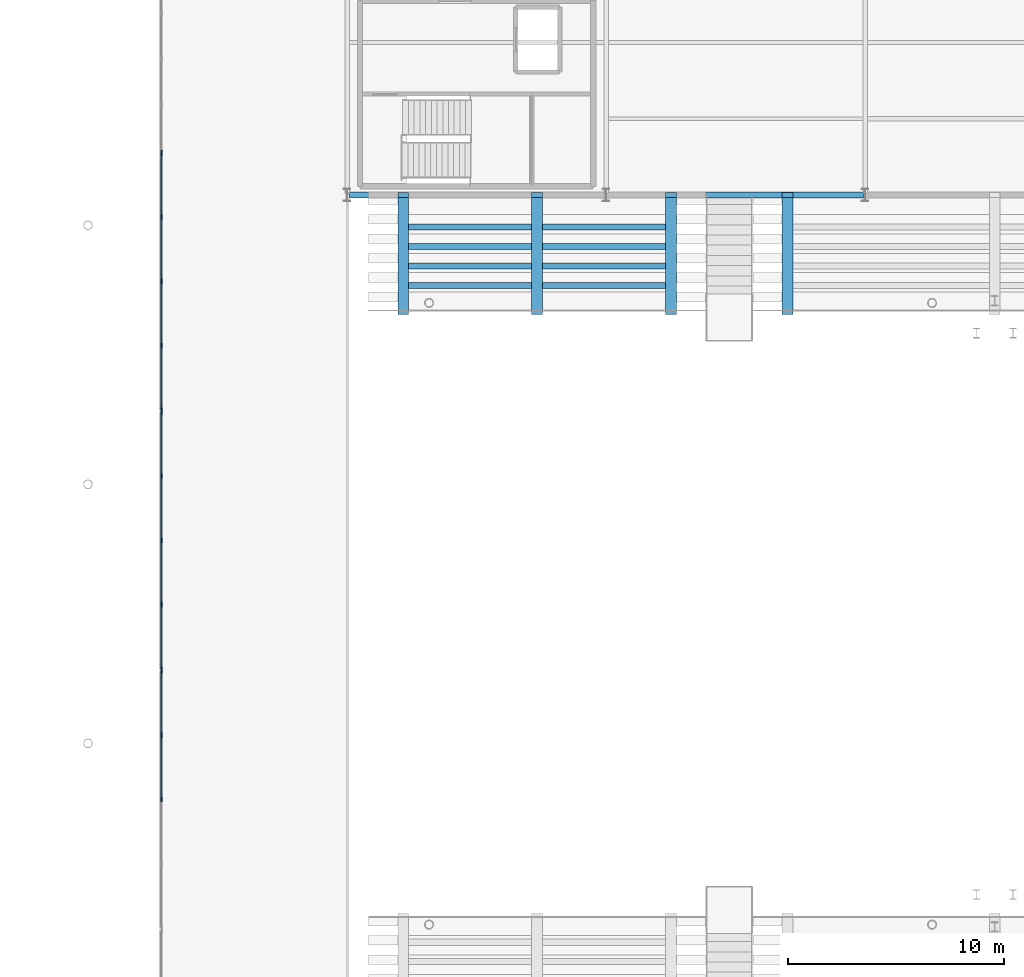
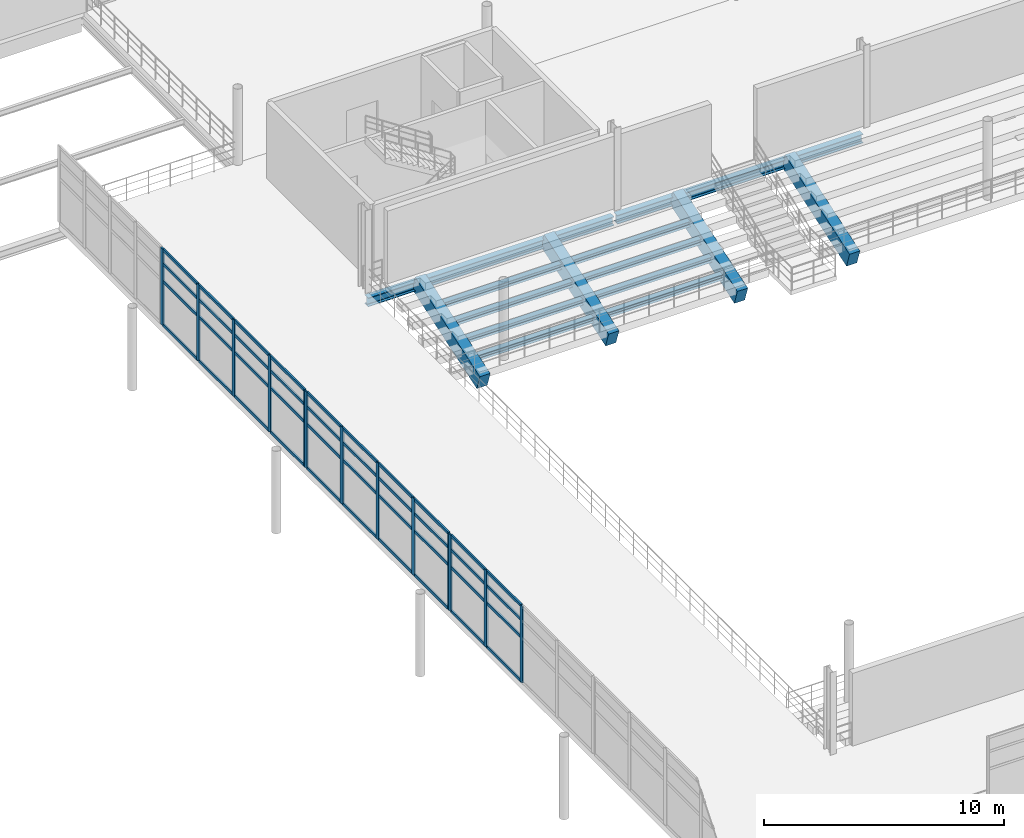
# One storey, part 29 of 89: 53 members, 10 beams, 3 elements without a shape of their own.
"""IFC4 building model written with IfcOpenShell, lengths in metres."""

from ifc_helpers import new_model, si_unit, direction, frame, origin, origin_2d, place, context, subcontext, project, spatial, rectangle, i_section, extrude, material, material_profile, profile_set, type_object, element, aggregate, save


model = new_model("IFC4")

# Units and contexts
model_context = context("Model", 3, precision=1e-05, world=origin(), true_north=direction((0.0, 1.0)))
body_context = subcontext(model_context, "Body", "Model", "MODEL_VIEW")
ifc_project = project(units=[si_unit("LENGTHUNIT", "METRE"), si_unit("AREAUNIT", "SQUARE_METRE"), si_unit("VOLUMEUNIT", "CUBIC_METRE"), si_unit("PLANEANGLEUNIT", "RADIAN"), si_unit("MASSUNIT", "GRAM", prefix="KILO"), si_unit("THERMODYNAMICTEMPERATUREUNIT", "KELVIN"), si_unit("POWERUNIT", "WATT")], contexts=[model_context])

# Site, building, storey
site_placement = place(None, origin())
site = spatial("IfcSite", under=ifc_project, at=site_placement, CompositionType="ELEMENT")
building_placement = place(site_placement, origin())
building = spatial("IfcBuilding", under=site, at=building_placement, Name="Solmara Park Aquatics Centre", CompositionType="ELEMENT")
storey_placement = place(building_placement, frame((0.0, 0.0, 5.39990234375)))
storey = spatial("IfcBuildingStorey", under=building, at=storey_placement, Name="L01", CompositionType="ELEMENT", Elevation=5.39990234375)

# Curtain wall, members
ifc_material_1 = material(Name="Anodised Aluminium Curtain Wall Framing", Category="aluminium")
curtain_wall_type = type_object("IfcCurtainWallType", Name="ARC-CW-SYS05", PredefinedType="USERDEFINED", material=ifc_material_1)
curtain_wall_1_placement = place(storey_placement, origin())
curtain_wall_1 = element("IfcCurtainWall", 1, at=curtain_wall_1_placement, inside=storey, type_object=curtain_wall_type, Name="Curtain Wall CW-014", ObjectType="CURTAIN WALL", PredefinedType="USERDEFINED")
ifc_material_2 = material(Name="Anodised Aluminium Alloy 6063-T6", Category="aluminium")
ifc_material_profile_1 = material_profile(ifc_material_2, rectangle(XDim=0.074951171875, YDim=0.219970703125, at=origin_2d()), Name="ALU MULLION 75x220")
ifc_profile_set_1 = profile_set([ifc_material_profile_1], Name="Anodised Aluminium Alloy 6063-T6")
member_type_1 = type_object("IfcMemberType", Name="ARC-CWM-75x220", PredefinedType="MULLION", material=ifc_profile_set_1)
member_1_placement = place(storey_placement, frame((16.0, 34.0, 0.0), z_axis=(0.0, 0.0, 1.0), x_axis=(1.0, 0.0, 0.0)))
member_1 = element("IfcMember", 2, at=member_1_placement, type_object=member_type_1, Name="CW-014 mullion 3", PredefinedType="MULLION", context=body_context, shape_type="SweptSolid", body=[
    extrude(rectangle(XDim=0.074951171875, YDim=0.219970703125, at=origin_2d()), origin(), (0.0, 0.0, 1.0), 3.900146484375),
])
member_2_placement = place(storey_placement, frame((16.0, 36.97998046875, 0.0), z_axis=(0.0, 0.0, 1.0), x_axis=(1.0, 0.0, 0.0)))
member_2 = element("IfcMember", 3, at=member_2_placement, type_object=member_type_1, Name="CW-014 mullion 4", PredefinedType="MULLION", context=body_context, shape_type="SweptSolid", body=[
    extrude(rectangle(XDim=0.074951171875, YDim=0.219970703125, at=origin_2d()), origin(), (0.0, 0.0, 1.0), 3.900146484375),
])
member_3_placement = place(storey_placement, frame((16.0, 39.9599609375, 0.0), z_axis=(0.0, 0.0, 1.0), x_axis=(1.0, 0.0, 0.0)))
member_3 = element("IfcMember", 4, at=member_3_placement, type_object=member_type_1, Name="CW-014 mullion 5", PredefinedType="MULLION", context=body_context, shape_type="SweptSolid", body=[
    extrude(rectangle(XDim=0.074951171875, YDim=0.219970703125, at=origin_2d()), origin(), (0.0, 0.0, 1.0), 3.900146484375),
])

curtain_wall_2_placement = place(storey_placement, origin())
curtain_wall_2 = element("IfcCurtainWall", 5, at=curtain_wall_2_placement, inside=storey, type_object=curtain_wall_type, Name="Curtain Wall CW-016", ObjectType="CURTAIN WALL", PredefinedType="USERDEFINED")
member_4_placement = place(storey_placement, frame((16.0, 40.0400390625, 0.0), z_axis=(0.0, 0.0, 1.0), x_axis=(1.0, 0.0, 0.0)))
member_4 = element("IfcMember", 6, at=member_4_placement, type_object=member_type_1, Name="CW-016 mullion 1", PredefinedType="MULLION", context=body_context, shape_type="SweptSolid", body=[
    extrude(rectangle(XDim=0.074951171875, YDim=0.219970703125, at=origin_2d()), origin(), (0.0, 0.0, 1.0), 3.900146484375),
])
member_5_placement = place(storey_placement, frame((16.0, 43.02001953125, 0.0), z_axis=(0.0, 0.0, 1.0), x_axis=(1.0, 0.0, 0.0)))
member_5 = element("IfcMember", 7, at=member_5_placement, type_object=member_type_1, Name="CW-016 mullion 2", PredefinedType="MULLION", context=body_context, shape_type="SweptSolid", body=[
    extrude(rectangle(XDim=0.074951171875, YDim=0.219970703125, at=origin_2d()), origin(), (0.0, 0.0, 1.0), 3.900146484375),
])
member_6_placement = place(storey_placement, frame((16.0, 46.0, 0.0), z_axis=(0.0, 0.0, 1.0), x_axis=(1.0, 0.0, 0.0)))
member_6 = element("IfcMember", 8, at=member_6_placement, type_object=member_type_1, Name="CW-016 mullion 3", PredefinedType="MULLION", context=body_context, shape_type="SweptSolid", body=[
    extrude(rectangle(XDim=0.074951171875, YDim=0.219970703125, at=origin_2d()), origin(), (0.0, 0.0, 1.0), 3.900146484375),
])
member_7_placement = place(storey_placement, frame((16.0, 48.97998046875, 0.0), z_axis=(0.0, 0.0, 1.0), x_axis=(1.0, 0.0, 0.0)))
member_7 = element("IfcMember", 9, at=member_7_placement, type_object=member_type_1, Name="CW-016 mullion 4", PredefinedType="MULLION", context=body_context, shape_type="SweptSolid", body=[
    extrude(rectangle(XDim=0.074951171875, YDim=0.219970703125, at=origin_2d()), origin(), (0.0, 0.0, 1.0), 3.900146484375),
])
member_8_placement = place(storey_placement, frame((16.0, 51.9599609375, 0.0), z_axis=(0.0, 0.0, 1.0), x_axis=(1.0, 0.0, 0.0)))
member_8 = element("IfcMember", 10, at=member_8_placement, type_object=member_type_1, Name="CW-016 mullion 5", PredefinedType="MULLION", context=body_context, shape_type="SweptSolid", body=[
    extrude(rectangle(XDim=0.074951171875, YDim=0.219970703125, at=origin_2d()), origin(), (0.0, 0.0, 1.0), 3.900146484375),
])

curtain_wall_3_placement = place(storey_placement, origin())
curtain_wall_3 = element("IfcCurtainWall", 11, at=curtain_wall_3_placement, inside=storey, type_object=curtain_wall_type, Name="Curtain Wall CW-018", ObjectType="CURTAIN WALL", PredefinedType="USERDEFINED")
member_9_placement = place(storey_placement, frame((16.0, 52.0400390625, 0.0), z_axis=(0.0, 0.0, 1.0), x_axis=(1.0, 0.0, 0.0)))
member_9 = element("IfcMember", 12, at=member_9_placement, type_object=member_type_1, Name="CW-018 mullion 1", PredefinedType="MULLION", context=body_context, shape_type="SweptSolid", body=[
    extrude(rectangle(XDim=0.074951171875, YDim=0.219970703125, at=origin_2d()), origin(), (0.0, 0.0, 1.0), 3.900146484375),
])
member_10_placement = place(storey_placement, frame((16.0, 55.02001953125, 0.0), z_axis=(0.0, 0.0, 1.0), x_axis=(1.0, 0.0, 0.0)))
member_10 = element("IfcMember", 13, at=member_10_placement, type_object=member_type_1, Name="CW-018 mullion 2", PredefinedType="MULLION", context=body_context, shape_type="SweptSolid", body=[
    extrude(rectangle(XDim=0.074951171875, YDim=0.219970703125, at=origin_2d()), origin(), (0.0, 0.0, 1.0), 3.900146484375),
])
member_11_placement = place(storey_placement, frame((16.0, 58.0, 0.0), z_axis=(0.0, 0.0, 1.0), x_axis=(1.0, 0.0, 0.0)))
member_11 = element("IfcMember", 14, at=member_11_placement, type_object=member_type_1, Name="CW-018 mullion 3", PredefinedType="MULLION", context=body_context, shape_type="SweptSolid", body=[
    extrude(rectangle(XDim=0.074951171875, YDim=0.219970703125, at=origin_2d()), origin(), (0.0, 0.0, 1.0), 3.900146484375),
])
member_12_placement = place(storey_placement, frame((16.0, 60.97998046875, 0.0), z_axis=(0.0, 0.0, 1.0), x_axis=(1.0, 0.0, 0.0)))
member_12 = element("IfcMember", 15, at=member_12_placement, type_object=member_type_1, Name="CW-018 mullion 4", PredefinedType="MULLION", context=body_context, shape_type="SweptSolid", body=[
    extrude(rectangle(XDim=0.074951171875, YDim=0.219970703125, at=origin_2d()), origin(), (0.0, 0.0, 1.0), 3.900146484375),
])
member_13_placement = place(storey_placement, frame((16.0, 63.9599609375, 0.0), z_axis=(0.0, 0.0, 1.0), x_axis=(1.0, 0.0, 0.0)))
member_13 = element("IfcMember", 16, at=member_13_placement, type_object=member_type_1, Name="CW-018 mullion 5", PredefinedType="MULLION", context=body_context, shape_type="SweptSolid", body=[
    extrude(rectangle(XDim=0.074951171875, YDim=0.219970703125, at=origin_2d()), origin(), (0.0, 0.0, 1.0), 3.900146484375),
])

# Member
ifc_material_profile_2 = material_profile(ifc_material_2, rectangle(XDim=0.074951171875, YDim=0.14990234375, at=origin_2d()), Name="ALU TRANSOM 75x150")
ifc_profile_set_2 = profile_set([ifc_material_profile_2], Name="Anodised Aluminium Alloy 6063-T6")
member_type_2 = type_object("IfcMemberType", Name="ARC-CWT-75x150", PredefinedType="USERDEFINED", material=ifc_profile_set_2)
member_14_placement = place(storey_placement, frame((16.0, 34.02001953125, 0.0400390625), z_axis=(0.0, 1.0, 0.0), x_axis=(-1.0, 0.0, 0.0)))
member_14 = element("IfcMember", 17, at=member_14_placement, type_object=member_type_2, Name="CW-014 transom 9", ObjectType="TRANSOM", PredefinedType="USERDEFINED", context=body_context, shape_type="SweptSolid", body=[
    extrude(rectangle(XDim=0.074951171875, YDim=0.14990234375, at=origin_2d()), origin(), (0.0, 0.0, 1.0), 2.89990234375),
])

member_15_placement = place(storey_placement, frame((16.0, 34.02001953125, 2.26220703125), z_axis=(0.0, 1.0, 0.0), x_axis=(-1.0, 0.0, 0.0)))
member_15 = element("IfcMember", 18, at=member_15_placement, type_object=member_type_2, Name="CW-014 transom 10", ObjectType="TRANSOM", PredefinedType="USERDEFINED", context=body_context, shape_type="SweptSolid", body=[
    extrude(rectangle(XDim=0.074951171875, YDim=0.14990234375, at=origin_2d()), origin(), (0.0, 0.0, 1.0), 2.89990234375),
])

member_16_placement = place(storey_placement, frame((16.0, 34.02001953125, 3.150146484375), z_axis=(0.0, 1.0, 0.0), x_axis=(-1.0, 0.0, 0.0)))
member_16 = element("IfcMember", 19, at=member_16_placement, type_object=member_type_2, Name="CW-014 transom 11", ObjectType="TRANSOM", PredefinedType="USERDEFINED", context=body_context, shape_type="SweptSolid", body=[
    extrude(rectangle(XDim=0.074951171875, YDim=0.14990234375, at=origin_2d()), origin(), (0.0, 0.0, 1.0), 2.89990234375),
])

member_17_placement = place(storey_placement, frame((16.0, 34.02001953125, 3.860107421875), z_axis=(0.0, 1.0, 0.0), x_axis=(-1.0, 0.0, 0.0)))
member_17 = element("IfcMember", 20, at=member_17_placement, type_object=member_type_2, Name="CW-014 transom 12", ObjectType="TRANSOM", PredefinedType="USERDEFINED", context=body_context, shape_type="SweptSolid", body=[
    extrude(rectangle(XDim=0.074951171875, YDim=0.14990234375, at=origin_2d()), origin(), (0.0, 0.0, 1.0), 2.89990234375),
])

member_18_placement = place(storey_placement, frame((16.0, 37.0, 0.0400390625), z_axis=(0.0, 1.0, 0.0), x_axis=(-1.0, 0.0, 0.0)))
member_18 = element("IfcMember", 21, at=member_18_placement, type_object=member_type_2, Name="CW-014 transom 13", ObjectType="TRANSOM", PredefinedType="USERDEFINED", context=body_context, shape_type="SweptSolid", body=[
    extrude(rectangle(XDim=0.074951171875, YDim=0.14990234375, at=origin_2d()), origin(), (0.0, 0.0, 1.0), 2.89990234375),
])

member_19_placement = place(storey_placement, frame((16.0, 37.0, 2.26220703125), z_axis=(0.0, 1.0, 0.0), x_axis=(-1.0, 0.0, 0.0)))
member_19 = element("IfcMember", 22, at=member_19_placement, type_object=member_type_2, Name="CW-014 transom 14", ObjectType="TRANSOM", PredefinedType="USERDEFINED", context=body_context, shape_type="SweptSolid", body=[
    extrude(rectangle(XDim=0.074951171875, YDim=0.14990234375, at=origin_2d()), origin(), (0.0, 0.0, 1.0), 2.89990234375),
])

member_20_placement = place(storey_placement, frame((16.0, 37.0, 3.150146484375), z_axis=(0.0, 1.0, 0.0), x_axis=(-1.0, 0.0, 0.0)))
member_20 = element("IfcMember", 23, at=member_20_placement, type_object=member_type_2, Name="CW-014 transom 15", ObjectType="TRANSOM", PredefinedType="USERDEFINED", context=body_context, shape_type="SweptSolid", body=[
    extrude(rectangle(XDim=0.074951171875, YDim=0.14990234375, at=origin_2d()), origin(), (0.0, 0.0, 1.0), 2.89990234375),
])

member_21_placement = place(storey_placement, frame((16.0, 37.0, 3.860107421875), z_axis=(0.0, 1.0, 0.0), x_axis=(-1.0, 0.0, 0.0)))
member_21 = element("IfcMember", 24, at=member_21_placement, type_object=member_type_2, Name="CW-014 transom 16", ObjectType="TRANSOM", PredefinedType="USERDEFINED", context=body_context, shape_type="SweptSolid", body=[
    extrude(rectangle(XDim=0.074951171875, YDim=0.14990234375, at=origin_2d()), origin(), (0.0, 0.0, 1.0), 2.89990234375),
])

aggregate(curtain_wall_1, [member_1, member_2, member_3, member_14, member_15, member_16, member_17, member_18, member_19, member_20, member_21])

member_22_placement = place(storey_placement, frame((16.0, 40.06005859375, 0.0400390625), z_axis=(0.0, 1.0, 0.0), x_axis=(-1.0, 0.0, 0.0)))
member_22 = element("IfcMember", 25, at=member_22_placement, type_object=member_type_2, Name="CW-016 transom 1", ObjectType="TRANSOM", PredefinedType="USERDEFINED", context=body_context, shape_type="SweptSolid", body=[
    extrude(rectangle(XDim=0.074951171875, YDim=0.14990234375, at=origin_2d()), origin(), (0.0, 0.0, 1.0), 2.89990234375),
])

member_23_placement = place(storey_placement, frame((16.0, 40.06005859375, 2.26220703125), z_axis=(0.0, 1.0, 0.0), x_axis=(-1.0, 0.0, 0.0)))
member_23 = element("IfcMember", 26, at=member_23_placement, type_object=member_type_2, Name="CW-016 transom 2", ObjectType="TRANSOM", PredefinedType="USERDEFINED", context=body_context, shape_type="SweptSolid", body=[
    extrude(rectangle(XDim=0.074951171875, YDim=0.14990234375, at=origin_2d()), origin(), (0.0, 0.0, 1.0), 2.89990234375),
])

member_24_placement = place(storey_placement, frame((16.0, 40.06005859375, 3.150146484375), z_axis=(0.0, 1.0, 0.0), x_axis=(-1.0, 0.0, 0.0)))
member_24 = element("IfcMember", 27, at=member_24_placement, type_object=member_type_2, Name="CW-016 transom 3", ObjectType="TRANSOM", PredefinedType="USERDEFINED", context=body_context, shape_type="SweptSolid", body=[
    extrude(rectangle(XDim=0.074951171875, YDim=0.14990234375, at=origin_2d()), origin(), (0.0, 0.0, 1.0), 2.89990234375),
])

member_25_placement = place(storey_placement, frame((16.0, 40.06005859375, 3.860107421875), z_axis=(0.0, 1.0, 0.0), x_axis=(-1.0, 0.0, 0.0)))
member_25 = element("IfcMember", 28, at=member_25_placement, type_object=member_type_2, Name="CW-016 transom 4", ObjectType="TRANSOM", PredefinedType="USERDEFINED", context=body_context, shape_type="SweptSolid", body=[
    extrude(rectangle(XDim=0.074951171875, YDim=0.14990234375, at=origin_2d()), origin(), (0.0, 0.0, 1.0), 2.89990234375),
])

member_26_placement = place(storey_placement, frame((16.0, 43.0400390625, 0.0400390625), z_axis=(0.0, 1.0, 0.0), x_axis=(-1.0, 0.0, 0.0)))
member_26 = element("IfcMember", 29, at=member_26_placement, type_object=member_type_2, Name="CW-016 transom 5", ObjectType="TRANSOM", PredefinedType="USERDEFINED", context=body_context, shape_type="SweptSolid", body=[
    extrude(rectangle(XDim=0.074951171875, YDim=0.14990234375, at=origin_2d()), origin(), (0.0, 0.0, 1.0), 2.89990234375),
])

member_27_placement = place(storey_placement, frame((16.0, 43.0400390625, 2.26220703125), z_axis=(0.0, 1.0, 0.0), x_axis=(-1.0, 0.0, 0.0)))
member_27 = element("IfcMember", 30, at=member_27_placement, type_object=member_type_2, Name="CW-016 transom 6", ObjectType="TRANSOM", PredefinedType="USERDEFINED", context=body_context, shape_type="SweptSolid", body=[
    extrude(rectangle(XDim=0.074951171875, YDim=0.14990234375, at=origin_2d()), origin(), (0.0, 0.0, 1.0), 2.89990234375),
])

member_28_placement = place(storey_placement, frame((16.0, 43.0400390625, 3.150146484375), z_axis=(0.0, 1.0, 0.0), x_axis=(-1.0, 0.0, 0.0)))
member_28 = element("IfcMember", 31, at=member_28_placement, type_object=member_type_2, Name="CW-016 transom 7", ObjectType="TRANSOM", PredefinedType="USERDEFINED", context=body_context, shape_type="SweptSolid", body=[
    extrude(rectangle(XDim=0.074951171875, YDim=0.14990234375, at=origin_2d()), origin(), (0.0, 0.0, 1.0), 2.89990234375),
])

member_29_placement = place(storey_placement, frame((16.0, 43.0400390625, 3.860107421875), z_axis=(0.0, 1.0, 0.0), x_axis=(-1.0, 0.0, 0.0)))
member_29 = element("IfcMember", 32, at=member_29_placement, type_object=member_type_2, Name="CW-016 transom 8", ObjectType="TRANSOM", PredefinedType="USERDEFINED", context=body_context, shape_type="SweptSolid", body=[
    extrude(rectangle(XDim=0.074951171875, YDim=0.14990234375, at=origin_2d()), origin(), (0.0, 0.0, 1.0), 2.89990234375),
])

member_30_placement = place(storey_placement, frame((16.0, 46.02001953125, 0.0400390625), z_axis=(0.0, 1.0, 0.0), x_axis=(-1.0, 0.0, 0.0)))
member_30 = element("IfcMember", 33, at=member_30_placement, type_object=member_type_2, Name="CW-016 transom 9", ObjectType="TRANSOM", PredefinedType="USERDEFINED", context=body_context, shape_type="SweptSolid", body=[
    extrude(rectangle(XDim=0.074951171875, YDim=0.14990234375, at=origin_2d()), origin(), (0.0, 0.0, 1.0), 2.89990234375),
])

member_31_placement = place(storey_placement, frame((16.0, 46.02001953125, 2.26220703125), z_axis=(0.0, 1.0, 0.0), x_axis=(-1.0, 0.0, 0.0)))
member_31 = element("IfcMember", 34, at=member_31_placement, type_object=member_type_2, Name="CW-016 transom 10", ObjectType="TRANSOM", PredefinedType="USERDEFINED", context=body_context, shape_type="SweptSolid", body=[
    extrude(rectangle(XDim=0.074951171875, YDim=0.14990234375, at=origin_2d()), origin(), (0.0, 0.0, 1.0), 2.89990234375),
])

member_32_placement = place(storey_placement, frame((16.0, 46.02001953125, 3.150146484375), z_axis=(0.0, 1.0, 0.0), x_axis=(-1.0, 0.0, 0.0)))
member_32 = element("IfcMember", 35, at=member_32_placement, type_object=member_type_2, Name="CW-016 transom 11", ObjectType="TRANSOM", PredefinedType="USERDEFINED", context=body_context, shape_type="SweptSolid", body=[
    extrude(rectangle(XDim=0.074951171875, YDim=0.14990234375, at=origin_2d()), origin(), (0.0, 0.0, 1.0), 2.89990234375),
])

member_33_placement = place(storey_placement, frame((16.0, 46.02001953125, 3.860107421875), z_axis=(0.0, 1.0, 0.0), x_axis=(-1.0, 0.0, 0.0)))
member_33 = element("IfcMember", 36, at=member_33_placement, type_object=member_type_2, Name="CW-016 transom 12", ObjectType="TRANSOM", PredefinedType="USERDEFINED", context=body_context, shape_type="SweptSolid", body=[
    extrude(rectangle(XDim=0.074951171875, YDim=0.14990234375, at=origin_2d()), origin(), (0.0, 0.0, 1.0), 2.89990234375),
])

member_34_placement = place(storey_placement, frame((16.0, 49.0, 0.0400390625), z_axis=(0.0, 1.0, 0.0), x_axis=(-1.0, 0.0, 0.0)))
member_34 = element("IfcMember", 37, at=member_34_placement, type_object=member_type_2, Name="CW-016 transom 13", ObjectType="TRANSOM", PredefinedType="USERDEFINED", context=body_context, shape_type="SweptSolid", body=[
    extrude(rectangle(XDim=0.074951171875, YDim=0.14990234375, at=origin_2d()), origin(), (0.0, 0.0, 1.0), 2.89990234375),
])

member_35_placement = place(storey_placement, frame((16.0, 49.0, 2.26220703125), z_axis=(0.0, 1.0, 0.0), x_axis=(-1.0, 0.0, 0.0)))
member_35 = element("IfcMember", 38, at=member_35_placement, type_object=member_type_2, Name="CW-016 transom 14", ObjectType="TRANSOM", PredefinedType="USERDEFINED", context=body_context, shape_type="SweptSolid", body=[
    extrude(rectangle(XDim=0.074951171875, YDim=0.14990234375, at=origin_2d()), origin(), (0.0, 0.0, 1.0), 2.89990234375),
])

member_36_placement = place(storey_placement, frame((16.0, 49.0, 3.150146484375), z_axis=(0.0, 1.0, 0.0), x_axis=(-1.0, 0.0, 0.0)))
member_36 = element("IfcMember", 39, at=member_36_placement, type_object=member_type_2, Name="CW-016 transom 15", ObjectType="TRANSOM", PredefinedType="USERDEFINED", context=body_context, shape_type="SweptSolid", body=[
    extrude(rectangle(XDim=0.074951171875, YDim=0.14990234375, at=origin_2d()), origin(), (0.0, 0.0, 1.0), 2.89990234375),
])

member_37_placement = place(storey_placement, frame((16.0, 49.0, 3.860107421875), z_axis=(0.0, 1.0, 0.0), x_axis=(-1.0, 0.0, 0.0)))
member_37 = element("IfcMember", 40, at=member_37_placement, type_object=member_type_2, Name="CW-016 transom 16", ObjectType="TRANSOM", PredefinedType="USERDEFINED", context=body_context, shape_type="SweptSolid", body=[
    extrude(rectangle(XDim=0.074951171875, YDim=0.14990234375, at=origin_2d()), origin(), (0.0, 0.0, 1.0), 2.89990234375),
])

aggregate(curtain_wall_2, [member_4, member_5, member_6, member_7, member_8, member_22, member_23, member_24, member_25, member_26, member_27, member_28, member_29, member_30, member_31, member_32, member_33, member_34, member_35, member_36, member_37])

member_38_placement = place(storey_placement, frame((16.0, 52.06005859375, 0.0400390625), z_axis=(0.0, 1.0, 0.0), x_axis=(-1.0, 0.0, 0.0)))
member_38 = element("IfcMember", 41, at=member_38_placement, type_object=member_type_2, Name="CW-018 transom 1", ObjectType="TRANSOM", PredefinedType="USERDEFINED", context=body_context, shape_type="SweptSolid", body=[
    extrude(rectangle(XDim=0.074951171875, YDim=0.14990234375, at=origin_2d()), origin(), (0.0, 0.0, 1.0), 2.89990234375),
])

member_39_placement = place(storey_placement, frame((16.0, 52.06005859375, 2.26220703125), z_axis=(0.0, 1.0, 0.0), x_axis=(-1.0, 0.0, 0.0)))
member_39 = element("IfcMember", 42, at=member_39_placement, type_object=member_type_2, Name="CW-018 transom 2", ObjectType="TRANSOM", PredefinedType="USERDEFINED", context=body_context, shape_type="SweptSolid", body=[
    extrude(rectangle(XDim=0.074951171875, YDim=0.14990234375, at=origin_2d()), origin(), (0.0, 0.0, 1.0), 2.89990234375),
])

member_40_placement = place(storey_placement, frame((16.0, 52.06005859375, 3.150146484375), z_axis=(0.0, 1.0, 0.0), x_axis=(-1.0, 0.0, 0.0)))
member_40 = element("IfcMember", 43, at=member_40_placement, type_object=member_type_2, Name="CW-018 transom 3", ObjectType="TRANSOM", PredefinedType="USERDEFINED", context=body_context, shape_type="SweptSolid", body=[
    extrude(rectangle(XDim=0.074951171875, YDim=0.14990234375, at=origin_2d()), origin(), (0.0, 0.0, 1.0), 2.89990234375),
])

member_41_placement = place(storey_placement, frame((16.0, 52.06005859375, 3.860107421875), z_axis=(0.0, 1.0, 0.0), x_axis=(-1.0, 0.0, 0.0)))
member_41 = element("IfcMember", 44, at=member_41_placement, type_object=member_type_2, Name="CW-018 transom 4", ObjectType="TRANSOM", PredefinedType="USERDEFINED", context=body_context, shape_type="SweptSolid", body=[
    extrude(rectangle(XDim=0.074951171875, YDim=0.14990234375, at=origin_2d()), origin(), (0.0, 0.0, 1.0), 2.89990234375),
])

member_42_placement = place(storey_placement, frame((16.0, 55.0400390625, 0.0400390625), z_axis=(0.0, 1.0, 0.0), x_axis=(-1.0, 0.0, 0.0)))
member_42 = element("IfcMember", 45, at=member_42_placement, type_object=member_type_2, Name="CW-018 transom 5", ObjectType="TRANSOM", PredefinedType="USERDEFINED", context=body_context, shape_type="SweptSolid", body=[
    extrude(rectangle(XDim=0.074951171875, YDim=0.14990234375, at=origin_2d()), origin(), (0.0, 0.0, 1.0), 2.89990234375),
])

member_43_placement = place(storey_placement, frame((16.0, 55.0400390625, 2.26220703125), z_axis=(0.0, 1.0, 0.0), x_axis=(-1.0, 0.0, 0.0)))
member_43 = element("IfcMember", 46, at=member_43_placement, type_object=member_type_2, Name="CW-018 transom 6", ObjectType="TRANSOM", PredefinedType="USERDEFINED", context=body_context, shape_type="SweptSolid", body=[
    extrude(rectangle(XDim=0.074951171875, YDim=0.14990234375, at=origin_2d()), origin(), (0.0, 0.0, 1.0), 2.89990234375),
])

member_44_placement = place(storey_placement, frame((16.0, 55.0400390625, 3.150146484375), z_axis=(0.0, 1.0, 0.0), x_axis=(-1.0, 0.0, 0.0)))
member_44 = element("IfcMember", 47, at=member_44_placement, type_object=member_type_2, Name="CW-018 transom 7", ObjectType="TRANSOM", PredefinedType="USERDEFINED", context=body_context, shape_type="SweptSolid", body=[
    extrude(rectangle(XDim=0.074951171875, YDim=0.14990234375, at=origin_2d()), origin(), (0.0, 0.0, 1.0), 2.89990234375),
])

member_45_placement = place(storey_placement, frame((16.0, 55.0400390625, 3.860107421875), z_axis=(0.0, 1.0, 0.0), x_axis=(-1.0, 0.0, 0.0)))
member_45 = element("IfcMember", 48, at=member_45_placement, type_object=member_type_2, Name="CW-018 transom 8", ObjectType="TRANSOM", PredefinedType="USERDEFINED", context=body_context, shape_type="SweptSolid", body=[
    extrude(rectangle(XDim=0.074951171875, YDim=0.14990234375, at=origin_2d()), origin(), (0.0, 0.0, 1.0), 2.89990234375),
])

member_46_placement = place(storey_placement, frame((16.0, 58.02001953125, 0.0400390625), z_axis=(0.0, 1.0, 0.0), x_axis=(-1.0, 0.0, 0.0)))
member_46 = element("IfcMember", 49, at=member_46_placement, type_object=member_type_2, Name="CW-018 transom 9", ObjectType="TRANSOM", PredefinedType="USERDEFINED", context=body_context, shape_type="SweptSolid", body=[
    extrude(rectangle(XDim=0.074951171875, YDim=0.14990234375, at=origin_2d()), origin(), (0.0, 0.0, 1.0), 2.89990234375),
])

member_47_placement = place(storey_placement, frame((16.0, 58.02001953125, 2.26220703125), z_axis=(0.0, 1.0, 0.0), x_axis=(-1.0, 0.0, 0.0)))
member_47 = element("IfcMember", 50, at=member_47_placement, type_object=member_type_2, Name="CW-018 transom 10", ObjectType="TRANSOM", PredefinedType="USERDEFINED", context=body_context, shape_type="SweptSolid", body=[
    extrude(rectangle(XDim=0.074951171875, YDim=0.14990234375, at=origin_2d()), origin(), (0.0, 0.0, 1.0), 2.89990234375),
])

member_48_placement = place(storey_placement, frame((16.0, 58.02001953125, 3.150146484375), z_axis=(0.0, 1.0, 0.0), x_axis=(-1.0, 0.0, 0.0)))
member_48 = element("IfcMember", 51, at=member_48_placement, type_object=member_type_2, Name="CW-018 transom 11", ObjectType="TRANSOM", PredefinedType="USERDEFINED", context=body_context, shape_type="SweptSolid", body=[
    extrude(rectangle(XDim=0.074951171875, YDim=0.14990234375, at=origin_2d()), origin(), (0.0, 0.0, 1.0), 2.89990234375),
])

member_49_placement = place(storey_placement, frame((16.0, 58.02001953125, 3.860107421875), z_axis=(0.0, 1.0, 0.0), x_axis=(-1.0, 0.0, 0.0)))
member_49 = element("IfcMember", 52, at=member_49_placement, type_object=member_type_2, Name="CW-018 transom 12", ObjectType="TRANSOM", PredefinedType="USERDEFINED", context=body_context, shape_type="SweptSolid", body=[
    extrude(rectangle(XDim=0.074951171875, YDim=0.14990234375, at=origin_2d()), origin(), (0.0, 0.0, 1.0), 2.89990234375),
])

member_50_placement = place(storey_placement, frame((16.0, 61.0, 0.0400390625), z_axis=(0.0, 1.0, 0.0), x_axis=(-1.0, 0.0, 0.0)))
member_50 = element("IfcMember", 53, at=member_50_placement, type_object=member_type_2, Name="CW-018 transom 13", ObjectType="TRANSOM", PredefinedType="USERDEFINED", context=body_context, shape_type="SweptSolid", body=[
    extrude(rectangle(XDim=0.074951171875, YDim=0.14990234375, at=origin_2d()), origin(), (0.0, 0.0, 1.0), 2.89990234375),
])

member_51_placement = place(storey_placement, frame((16.0, 61.0, 2.26220703125), z_axis=(0.0, 1.0, 0.0), x_axis=(-1.0, 0.0, 0.0)))
member_51 = element("IfcMember", 54, at=member_51_placement, type_object=member_type_2, Name="CW-018 transom 14", ObjectType="TRANSOM", PredefinedType="USERDEFINED", context=body_context, shape_type="SweptSolid", body=[
    extrude(rectangle(XDim=0.074951171875, YDim=0.14990234375, at=origin_2d()), origin(), (0.0, 0.0, 1.0), 2.89990234375),
])

member_52_placement = place(storey_placement, frame((16.0, 61.0, 3.150146484375), z_axis=(0.0, 1.0, 0.0), x_axis=(-1.0, 0.0, 0.0)))
member_52 = element("IfcMember", 55, at=member_52_placement, type_object=member_type_2, Name="CW-018 transom 15", ObjectType="TRANSOM", PredefinedType="USERDEFINED", context=body_context, shape_type="SweptSolid", body=[
    extrude(rectangle(XDim=0.074951171875, YDim=0.14990234375, at=origin_2d()), origin(), (0.0, 0.0, 1.0), 2.89990234375),
])

member_53_placement = place(storey_placement, frame((16.0, 61.0, 3.860107421875), z_axis=(0.0, 1.0, 0.0), x_axis=(-1.0, 0.0, 0.0)))
member_53 = element("IfcMember", 56, at=member_53_placement, type_object=member_type_2, Name="CW-018 transom 16", ObjectType="TRANSOM", PredefinedType="USERDEFINED", context=body_context, shape_type="SweptSolid", body=[
    extrude(rectangle(XDim=0.074951171875, YDim=0.14990234375, at=origin_2d()), origin(), (0.0, 0.0, 1.0), 2.89990234375),
])

aggregate(curtain_wall_3, [member_9, member_10, member_11, member_12, member_13, member_38, member_39, member_40, member_41, member_42, member_43, member_44, member_45, member_46, member_47, member_48, member_49, member_50, member_51, member_52, member_53])

# Beams
ifc_material_3 = material(Name="Structural Steel S355", Category="steel")
ifc_material_profile_3 = material_profile(ifc_material_3, i_section(OverallWidth=0.280029296875, OverallDepth=0.27001953125, WebThickness=0.008056640625, FlangeThickness=0.012939453125, FilletRadius=0.02392578125, at=origin_2d()), Name="HEA 280")
ifc_profile_set_3 = profile_set([ifc_material_profile_3], Name="Structural Steel S355")
beam_type_1 = type_object("IfcBeamType", Name="STR-BM-HEA280", PredefinedType="BEAM", material=ifc_profile_set_3)
for number, where, z_axis, x_axis, name in (
    (57, (27.199951171875, 57.81494140625, -1.954833984375), (1.0, 0.0, 0.0), (0.0, 1.0, 0.0), "Lower Stand Cross-Tie Girder N1 Row 2"),
    (58, (27.199951171875, 58.715087890625, -1.594970703125), (1.0, 0.0, 0.0), (0.0, 1.0, 0.0), "Lower Stand Cross-Tie Girder N1 Row 3"),
    (59, (27.199951171875, 59.614990234375, -1.23486328125), (1.0, 0.0, 0.0), (0.0, 1.0, 0.0), "Lower Stand Cross-Tie Girder N1 Row 4"),
    (60, (27.199951171875, 60.514892578125, -0.875), (1.0, 0.0, 0.0), (0.0, 1.0, 0.0), "Lower Stand Cross-Tie Girder N1 Row 5"),
):
    element("IfcBeam", number, at=place(storey_placement, frame(where, z_axis=z_axis, x_axis=x_axis)), inside=storey, type_object=beam_type_1, Name=name, PredefinedType="BEAM", context=body_context, shape_type="SweptSolid", body=[
        extrude(i_section(OverallWidth=0.280029296875, OverallDepth=0.27001953125, WebThickness=0.008056640625, FlangeThickness=0.012939453125, FilletRadius=0.02392578125, at=origin_2d()), origin(), (0.0, 0.0, 1.0), 12.400146484375),
    ])
ifc_material_profile_4 = material_profile(ifc_material_3, i_section(OverallWidth=0.300048828125, OverallDepth=0.449951171875, WebThickness=0.013916015625, FlangeThickness=0.02587890625, FilletRadius=0.027099609375, at=origin_2d()), Name="HEB 450")
ifc_profile_set_4 = profile_set([ifc_material_profile_4], Name="Structural Steel S355")
beam_type_2 = type_object("IfcBeamType", Name="STR-BM-HEB450", PredefinedType="BEAM", material=ifc_profile_set_4)
for number, where, z_axis, x_axis, name in (
    (61, (24.679931640625, 62.0, -0.625), (1.0, 0.0, 0.0), (0.0, 1.0, 0.0), "Girder BM-L01-0177"),
    (62, (36.679931640625, 62.0, -0.625), (1.0, 0.0, 0.0), (0.0, 1.0, 0.0), "Girder BM-L01-0178"),
):
    element("IfcBeam", number, at=place(storey_placement, frame(where, z_axis=z_axis, x_axis=x_axis)), inside=storey, type_object=beam_type_2, Name=name, PredefinedType="BEAM", context=body_context, shape_type="SweptSolid", body=[
        extrude(i_section(OverallWidth=0.300048828125, OverallDepth=0.449951171875, WebThickness=0.013916015625, FlangeThickness=0.02587890625, FilletRadius=0.027099609375, at=origin_2d()), origin(), (0.0, 0.0, 1.0), 11.840087890625),
    ])
ifc_material_4 = material(Name="Concrete C40/50", Category="concrete")
ifc_material_profile_5 = material_profile(ifc_material_4, rectangle(XDim=0.5, YDim=0.800048828125, at=origin_2d()), Name="RC 500x800")
ifc_profile_set_5 = profile_set([ifc_material_profile_5], Name="Concrete C40/50")
beam_type_3 = type_object("IfcBeamType", Name="STR-RKR-RC500x800", PredefinedType="USERDEFINED", material=ifc_profile_set_5)
for number, where, z_axis, x_axis, name in (
    (63, (27.199951171875, 56.60009765625, -2.31982421875), (0.0, 0.948691876161, 0.316202030521), (-1.0, 0.0, 0.0), "Spectator Stand RAKER Girder RKR-001"),
    (64, (33.39990234375, 56.60009765625, -2.31982421875), (0.0, 0.948691876161, 0.316202030521), (-1.0, 0.0, 0.0), "Spectator Stand RAKER Girder RKR-002"),
    (65, (39.60009765625, 56.60009765625, -2.31982421875), (0.0, 0.948691876161, 0.316202030521), (-1.0, 0.0, 0.0), "Spectator Stand RAKER Girder RKR-003"),
    (66, (45.0, 56.60009765625, -2.31982421875), (0.0, 0.948691876161, 0.316202030521), (-1.0, 0.0, 0.0), "Spectator Stand RAKER Girder RKR-004"),
):
    element("IfcBeam", number, at=place(storey_placement, frame(where, z_axis=z_axis, x_axis=x_axis)), inside=storey, type_object=beam_type_3, Name=name, ObjectType="RAKER", PredefinedType="USERDEFINED", context=body_context, shape_type="SweptSolid", body=[
        extrude(rectangle(XDim=0.5, YDim=0.800048828125, at=origin_2d()), origin(), (0.0, 0.0, 1.0), 5.69189453125),
    ])

save(model, "model.ifc")
